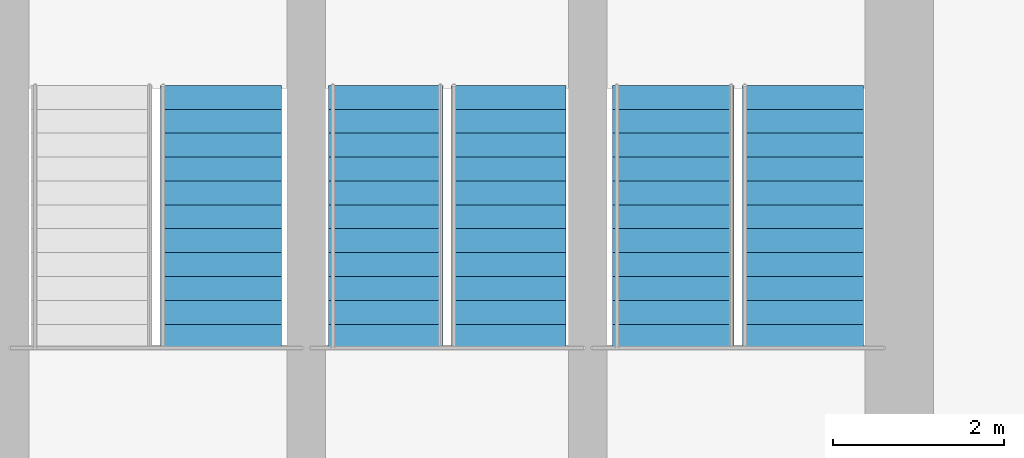
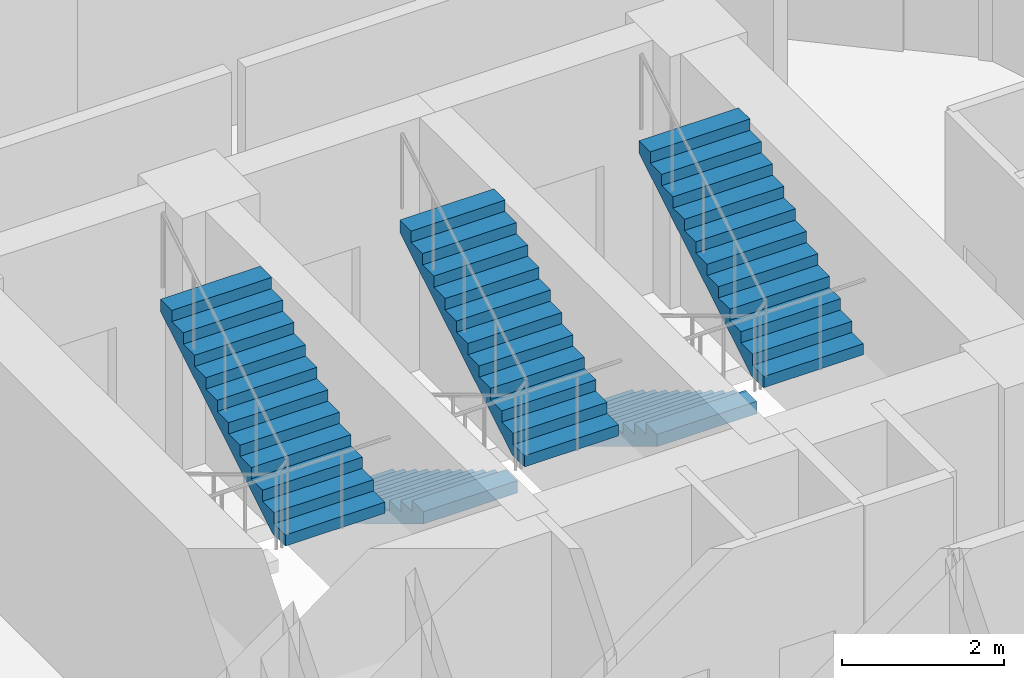
# One storey, part 24 of 25: 5 stair flights, 3 elements without a shape of their own.
"""IFC4 building model written with IfcOpenShell, lengths in metres."""

from ifc_helpers import new_model, si_unit, direction, frame, origin, place, context, subcontext, project, spatial, polyline, outline, extrude, material, type_object, element, aggregate, save


model = new_model("IFC4")

# Units and contexts
model_context = context("Model", 3, precision=1e-05, world=origin(), true_north=direction((0.0, 1.0)))
body_context = subcontext(model_context, "Body", "Model", "MODEL_VIEW")
ifc_project = project(units=[si_unit("LENGTHUNIT", "METRE"), si_unit("AREAUNIT", "SQUARE_METRE"), si_unit("VOLUMEUNIT", "CUBIC_METRE"), si_unit("PLANEANGLEUNIT", "RADIAN"), si_unit("MASSUNIT", "GRAM", prefix="KILO")], contexts=[model_context])

# Site, building, storey
site_placement = place(None, origin())
site = spatial("IfcSite", under=ifc_project, at=site_placement, CompositionType="ELEMENT")
building_placement = place(site_placement, origin())
building = spatial("IfcBuilding", under=site, at=building_placement, Name="Nuhasar Tower", CompositionType="ELEMENT")
storey_placement = place(building_placement, frame((0.0, 0.0, 61.5)))
storey = spatial("IfcBuildingStorey", under=building, at=storey_placement, Name="L14", CompositionType="ELEMENT", Elevation=61.5)

# Stair, stair flight
ifc_material = material(Name="Concrete C45/55", Category="concrete")
stair_type_1 = type_object("IfcStairType", Name="STR-ST-01-2F-24R-1688", PredefinedType="HALF_TURN_STAIR", material=ifc_material)
stair_1_placement = place(storey_placement, origin())
stair_1 = element("IfcStair", 1, at=stair_1_placement, inside=storey, type_object=stair_type_1, Name="L14 Exit Stair ST-01", PredefinedType="HALF_TURN_STAIR")
stair_flight_type_1 = type_object("IfcStairFlightType", Name="SFL-ST-01-12R-1688", PredefinedType="STRAIGHT", material=ifc_material)
stair_flight_1_placement = place(storey_placement, frame((36.35009765625, 32.205078125, 2.02490234375), z_axis=(0.0, 0.0, 1.0), x_axis=(0.0, 1.0, 0.0)))
stair_flight_1 = element("IfcStairFlight", 2, at=stair_flight_1_placement, type_object=stair_flight_type_1, Name="ST-01 flight 2", NumberOfRisers=12, NumberOfTreads=11, PredefinedType="STRAIGHT", RiserHeight=0.16875, TreadLength=0.28, context=body_context, shape_type="SweptSolid", body=[
    extrude(outline(polyline([(0.0, 0.0), (0.0, 0.168701171875), (0.280029296875, 0.168701171875), (0.280029296875, 0.33740234375), (0.56005859375, 0.33740234375), (0.56005859375, 0.50634765625), (0.840087890625, 0.50634765625), (0.840087890625, 0.675048828125), (1.1201171875, 0.675048828125), (1.1201171875, 0.84375), (1.39990234375, 0.84375), (1.39990234375, 1.012451171875), (1.679931640625, 1.012451171875), (1.679931640625, 1.18115234375), (1.9599609375, 1.18115234375), (1.9599609375, 1.35009765625), (2.239990234375, 1.35009765625), (2.239990234375, 1.518798828125), (2.52001953125, 1.518798828125), (2.52001953125, 1.6875), (2.800048828125, 1.6875), (2.800048828125, 1.856201171875), (3.080078125, 1.856201171875), (3.080078125, 2.02490234375), (3.080078125, 1.66943359375), (0.309814453125, 0.0), (0.0, 0.0)])), frame((0.0, 0.7099609375, 0.0), z_axis=(0.0, -1.0, 0.0), x_axis=(1.0, 0.0, 0.0)), (0.0, 0.0, 1.0), 1.419921875),
])
aggregate(stair_1, [stair_flight_1])

# Stair, stair flights
stair_type_2 = type_object("IfcStairType", Name="STR-ST-02-2F-24R-1688", PredefinedType="HALF_TURN_STAIR", material=ifc_material)
stair_2_placement = place(storey_placement, origin())
stair_2 = element("IfcStair", 3, at=stair_2_placement, inside=storey, type_object=stair_type_2, Name="L14 Exit Stair ST-02", PredefinedType="HALF_TURN_STAIR")
stair_flight_type_2 = type_object("IfcStairFlightType", Name="SFL-ST-02-12R-1688", PredefinedType="STRAIGHT", material=ifc_material)
stair_flight_2_placement = place(storey_placement, frame((41.64990234375, 35.284912109375, 0.0), z_axis=(0.0, 0.0, 1.0), x_axis=(0.0, -1.0, 0.0)))
stair_flight_2 = element("IfcStairFlight", 4, at=stair_flight_2_placement, type_object=stair_flight_type_2, Name="ST-02 flight 1", NumberOfRisers=12, NumberOfTreads=11, PredefinedType="STRAIGHT", RiserHeight=0.16875, TreadLength=0.28, context=body_context, shape_type="SweptSolid", body=[
    extrude(outline(polyline([(0.0, 0.0), (0.0, 0.168701171875), (0.280029296875, 0.168701171875), (0.280029296875, 0.33740234375), (0.56005859375, 0.33740234375), (0.56005859375, 0.50634765625), (0.840087890625, 0.50634765625), (0.840087890625, 0.675048828125), (1.1201171875, 0.675048828125), (1.1201171875, 0.84375), (1.39990234375, 0.84375), (1.39990234375, 1.012451171875), (1.679931640625, 1.012451171875), (1.679931640625, 1.18115234375), (1.9599609375, 1.18115234375), (1.9599609375, 1.35009765625), (2.239990234375, 1.35009765625), (2.239990234375, 1.518798828125), (2.52001953125, 1.518798828125), (2.52001953125, 1.6875), (2.800048828125, 1.6875), (2.800048828125, 1.856201171875), (3.080078125, 1.856201171875), (3.080078125, 2.02490234375), (3.080078125, 1.66943359375), (0.309814453125, 0.0), (0.0, 0.0)])), frame((0.0, 0.7099609375, 0.0), z_axis=(0.0, -1.0, 0.0), x_axis=(1.0, 0.0, 0.0)), (0.0, 0.0, 1.0), 1.419921875),
])
stair_flight_3_placement = place(storey_placement, frame((43.169921875, 32.205078125, 2.02490234375), z_axis=(0.0, 0.0, 1.0), x_axis=(0.0, 1.0, 0.0)))
stair_flight_3 = element("IfcStairFlight", 5, at=stair_flight_3_placement, type_object=stair_flight_type_2, Name="ST-02 flight 2", NumberOfRisers=12, NumberOfTreads=11, PredefinedType="STRAIGHT", RiserHeight=0.16875, TreadLength=0.28, context=body_context, shape_type="SweptSolid", body=[
    extrude(outline(polyline([(0.0, 0.0), (0.0, 0.168701171875), (0.280029296875, 0.168701171875), (0.280029296875, 0.33740234375), (0.56005859375, 0.33740234375), (0.56005859375, 0.50634765625), (0.840087890625, 0.50634765625), (0.840087890625, 0.675048828125), (1.1201171875, 0.675048828125), (1.1201171875, 0.84375), (1.39990234375, 0.84375), (1.39990234375, 1.012451171875), (1.679931640625, 1.012451171875), (1.679931640625, 1.18115234375), (1.9599609375, 1.18115234375), (1.9599609375, 1.35009765625), (2.239990234375, 1.35009765625), (2.239990234375, 1.518798828125), (2.52001953125, 1.518798828125), (2.52001953125, 1.6875), (2.800048828125, 1.6875), (2.800048828125, 1.856201171875), (3.080078125, 1.856201171875), (3.080078125, 2.02490234375), (3.080078125, 1.66943359375), (0.309814453125, 0.0), (0.0, 0.0)])), frame((0.0, 0.7099609375, 0.0), z_axis=(0.0, -1.0, 0.0), x_axis=(1.0, 0.0, 0.0)), (0.0, 0.0, 1.0), 1.419921875),
])
aggregate(stair_2, [stair_flight_2, stair_flight_3])

stair_type_3 = type_object("IfcStairType", Name="STR-ST-03-2F-24R-1688", PredefinedType="HALF_TURN_STAIR", material=ifc_material)
stair_3_placement = place(storey_placement, origin())
stair_3 = element("IfcStair", 6, at=stair_3_placement, inside=storey, type_object=stair_type_3, Name="L14 Exit Stair ST-03", PredefinedType="HALF_TURN_STAIR")
stair_flight_type_3 = type_object("IfcStairFlightType", Name="SFL-ST-03-12R-1688", PredefinedType="STRAIGHT", material=ifc_material)
stair_flight_4_placement = place(storey_placement, frame((38.280029296875, 35.284912109375, 0.0), z_axis=(0.0, 0.0, 1.0), x_axis=(0.0, -1.0, 0.0)))
stair_flight_4 = element("IfcStairFlight", 7, at=stair_flight_4_placement, type_object=stair_flight_type_3, Name="ST-03 flight 1", NumberOfRisers=12, NumberOfTreads=11, PredefinedType="STRAIGHT", RiserHeight=0.16875, TreadLength=0.28, context=body_context, shape_type="SweptSolid", body=[
    extrude(outline(polyline([(0.0, 0.0), (0.0, 0.168701171875), (0.280029296875, 0.168701171875), (0.280029296875, 0.33740234375), (0.56005859375, 0.33740234375), (0.56005859375, 0.50634765625), (0.840087890625, 0.50634765625), (0.840087890625, 0.675048828125), (1.1201171875, 0.675048828125), (1.1201171875, 0.84375), (1.39990234375, 0.84375), (1.39990234375, 1.012451171875), (1.679931640625, 1.012451171875), (1.679931640625, 1.18115234375), (1.9599609375, 1.18115234375), (1.9599609375, 1.35009765625), (2.239990234375, 1.35009765625), (2.239990234375, 1.518798828125), (2.52001953125, 1.518798828125), (2.52001953125, 1.6875), (2.800048828125, 1.6875), (2.800048828125, 1.856201171875), (3.080078125, 1.856201171875), (3.080078125, 2.02490234375), (3.080078125, 1.66943359375), (0.309814453125, 0.0), (0.0, 0.0)])), frame((0.0, 0.669921875, 0.0), z_axis=(0.0, -1.0, 0.0), x_axis=(1.0, 0.0, 0.0)), (0.0, 0.0, 1.0), 1.340087890625),
])
stair_flight_5_placement = place(storey_placement, frame((39.719970703125, 32.205078125, 2.02490234375), z_axis=(0.0, 0.0, 1.0), x_axis=(0.0, 1.0, 0.0)))
stair_flight_5 = element("IfcStairFlight", 8, at=stair_flight_5_placement, type_object=stair_flight_type_3, Name="ST-03 flight 2", NumberOfRisers=12, NumberOfTreads=11, PredefinedType="STRAIGHT", RiserHeight=0.16875, TreadLength=0.28, context=body_context, shape_type="SweptSolid", body=[
    extrude(outline(polyline([(0.0, 0.0), (0.0, 0.168701171875), (0.280029296875, 0.168701171875), (0.280029296875, 0.33740234375), (0.56005859375, 0.33740234375), (0.56005859375, 0.50634765625), (0.840087890625, 0.50634765625), (0.840087890625, 0.675048828125), (1.1201171875, 0.675048828125), (1.1201171875, 0.84375), (1.39990234375, 0.84375), (1.39990234375, 1.012451171875), (1.679931640625, 1.012451171875), (1.679931640625, 1.18115234375), (1.9599609375, 1.18115234375), (1.9599609375, 1.35009765625), (2.239990234375, 1.35009765625), (2.239990234375, 1.518798828125), (2.52001953125, 1.518798828125), (2.52001953125, 1.6875), (2.800048828125, 1.6875), (2.800048828125, 1.856201171875), (3.080078125, 1.856201171875), (3.080078125, 2.02490234375), (3.080078125, 1.66943359375), (0.309814453125, 0.0), (0.0, 0.0)])), frame((0.0, 0.669921875, 0.0), z_axis=(0.0, -1.0, 0.0), x_axis=(1.0, 0.0, 0.0)), (0.0, 0.0, 1.0), 1.340087890625),
])
aggregate(stair_3, [stair_flight_4, stair_flight_5])

save(model, "model.ifc")
